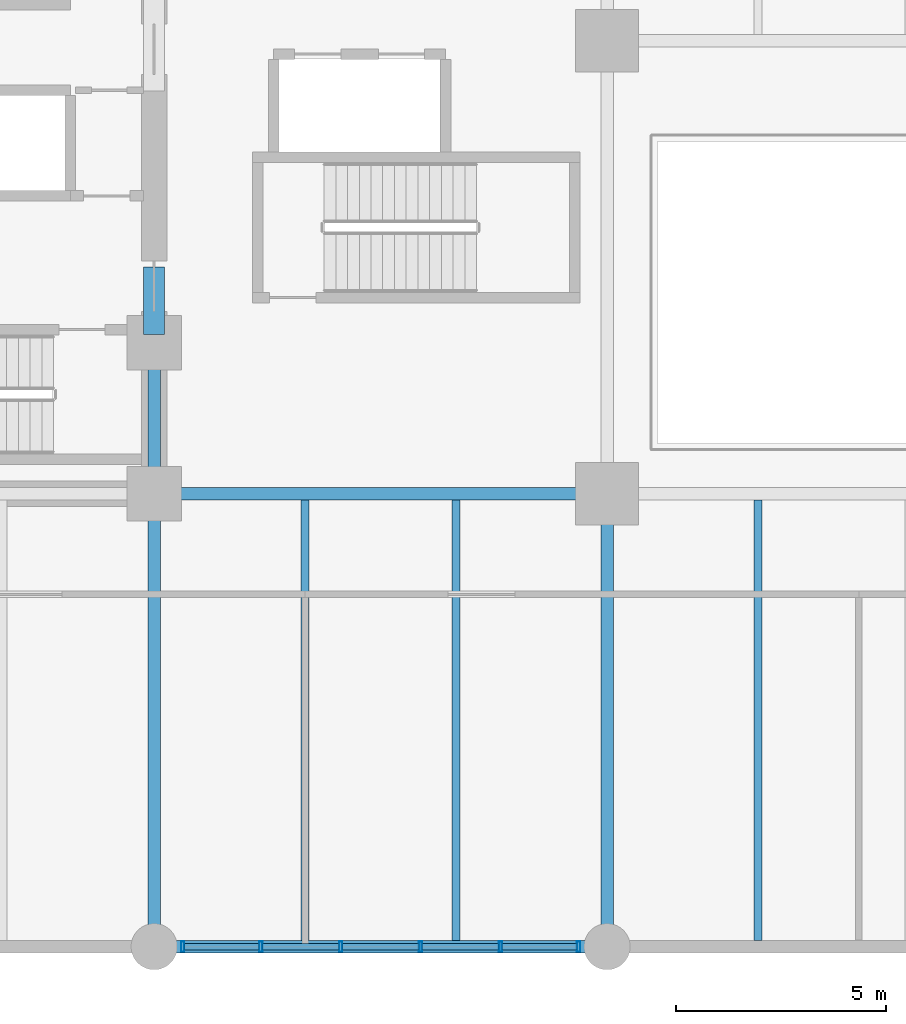
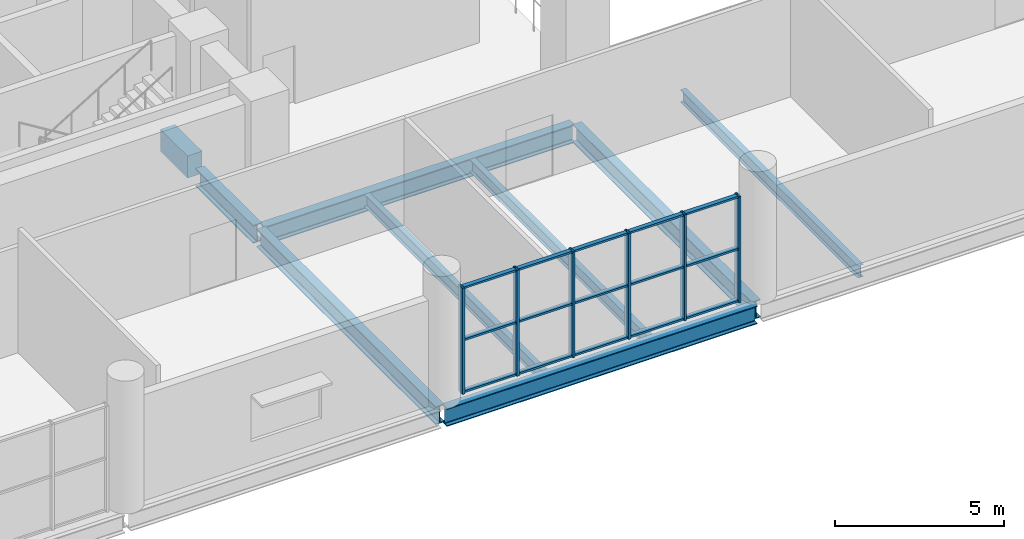
# One storey, part 5 of 16: 21 members, 9 beams, 1 element without a shape of its own.
"""IFC4 building model written with IfcOpenShell, lengths in metres."""

from ifc_helpers import new_model, si_unit, direction, frame, origin, origin_2d, place, context, subcontext, project, spatial, rectangle, hollow_rectangle, i_section, extrude, material, layer, layer_set, material_profile, profile_set, type_object, element, aggregate, save


model = new_model("IFC4")

# Units and contexts
model_context = context("Model", 3, precision=1e-05, world=origin(), true_north=direction((0.0, 1.0)))
body_context = subcontext(model_context, "Body", "Model", "MODEL_VIEW")
ifc_project = project(units=[si_unit("LENGTHUNIT", "METRE"), si_unit("AREAUNIT", "SQUARE_METRE"), si_unit("VOLUMEUNIT", "CUBIC_METRE"), si_unit("PLANEANGLEUNIT", "RADIAN"), si_unit("MASSUNIT", "GRAM", prefix="KILO")], contexts=[model_context])

# Site, building, storey
site_placement = place(None, origin())
site = spatial("IfcSite", under=ifc_project, at=site_placement, CompositionType="ELEMENT")
building_placement = place(site_placement, origin())
building = spatial("IfcBuilding", under=site, at=building_placement, Name="Solnavia Interchange Tower", CompositionType="ELEMENT")
storey_placement = place(building_placement, frame((0.0, 0.0, 5.39990234375)))
storey = spatial("IfcBuildingStorey", under=building, at=storey_placement, Name="L01", CompositionType="ELEMENT", Elevation=5.39990234375)

# Beams
ifc_material_1 = material(Name="Concrete C50/60", Category="concrete")
ifc_material_profile_1 = material_profile(ifc_material_1, rectangle(XDim=0.5, YDim=0.800048828125, at=origin_2d()), Name="RC 500x800")
ifc_profile_set_1 = profile_set([ifc_material_profile_1], Name="Concrete C50/60")
beam_type_1 = type_object("IfcBeamType", Name="Beam-Coupling-RC500x800", PredefinedType="LINTEL", material=ifc_profile_set_1)
beam_1_placement = place(storey_placement, frame((32.39990234375, 14.60009765625, -0.39990234375), z_axis=(0.0, 1.0, 0.0), x_axis=(-1.0, 0.0, 0.0)))
element("IfcBeam", 1, at=beam_1_placement, inside=storey, type_object=beam_type_1, Name="CPB-L01-E1 Core coupling lintel beam", PredefinedType="LINTEL", context=body_context, shape_type="SweptSolid", body=[
    extrude(rectangle(XDim=0.5, YDim=0.800048828125, at=origin_2d()), origin(), (0.0, 0.0, 1.0), 1.599853515625),
])
ifc_material_2 = material(Name="Steel S460", Category="steel")
ifc_material_profile_2 = material_profile(ifc_material_2, i_section(OverallWidth=0.300048828125, OverallDepth=0.64990234375, WebThickness=0.01611328125, FlangeThickness=0.031005859375, FilletRadius=0.027099609375, at=origin_2d()), Name="HEB 650")
ifc_profile_set_2 = profile_set([ifc_material_profile_2], Name="Steel S460")
beam_type_2 = type_object("IfcBeamType", Name="Beam-Girder-HEB650", PredefinedType="BEAM", material=ifc_profile_set_2)
for number, where, z_axis, x_axis, name in (
    (2, (32.5, 0.0, -0.625), (1.0, 0.0, 0.0), (0.0, 1.0, 0.0), "GRD-L01-04 Podium primary girder"),
    (3, (32.5, 10.800048828125, -0.625), (1.0, 0.0, 0.0), (0.0, 1.0, 0.0), "GRD-L01-12 Podium primary girder"),
):
    element("IfcBeam", number, at=place(storey_placement, frame(where, z_axis=z_axis, x_axis=x_axis)), inside=storey, type_object=beam_type_2, Name=name, PredefinedType="BEAM", context=body_context, shape_type="SweptSolid", body=[
        extrude(i_section(OverallWidth=0.300048828125, OverallDepth=0.64990234375, WebThickness=0.01611328125, FlangeThickness=0.031005859375, FilletRadius=0.027099609375, at=origin_2d()), origin(), (0.0, 0.0, 1.0), 10.60009765625),
    ])
beam_2_placement = place(storey_placement, frame((32.39990234375, 0.10009765625, -0.625), z_axis=(0.0, 1.0, 0.0), x_axis=(-1.0, 0.0, 0.0)))
element("IfcBeam", 4, at=beam_2_placement, inside=storey, type_object=beam_type_2, Name="GRD-L01-57 Podium primary girder", PredefinedType="BEAM", context=body_context, shape_type="SweptSolid", body=[
    extrude(i_section(OverallWidth=0.300048828125, OverallDepth=0.64990234375, WebThickness=0.01611328125, FlangeThickness=0.031005859375, FilletRadius=0.027099609375, at=origin_2d()), origin(), (0.0, 0.0, 1.0), 10.599853515625),
])
beam_3_placement = place(storey_placement, frame((32.39990234375, 10.89990234375, -0.625), z_axis=(0.0, 1.0, 0.0), x_axis=(-1.0, 0.0, 0.0)))
element("IfcBeam", 5, at=beam_3_placement, inside=storey, type_object=beam_type_2, Name="GRD-L01-58 Podium primary girder", PredefinedType="BEAM", context=body_context, shape_type="SweptSolid", body=[
    extrude(i_section(OverallWidth=0.300048828125, OverallDepth=0.64990234375, WebThickness=0.01611328125, FlangeThickness=0.031005859375, FilletRadius=0.027099609375, at=origin_2d()), origin(), (0.0, 0.0, 1.0), 3.400146484375),
])
beam_4_placement = place(storey_placement, frame((43.199951171875, 0.10009765625, -0.625), z_axis=(0.0, 1.0, 0.0), x_axis=(-1.0, 0.0, 0.0)))
element("IfcBeam", 6, at=beam_4_placement, inside=storey, type_object=beam_type_2, Name="GRD-L01-62 Podium primary girder", PredefinedType="BEAM", context=body_context, shape_type="SweptSolid", body=[
    extrude(i_section(OverallWidth=0.300048828125, OverallDepth=0.64990234375, WebThickness=0.01611328125, FlangeThickness=0.031005859375, FilletRadius=0.027099609375, at=origin_2d()), origin(), (0.0, 0.0, 1.0), 10.599853515625),
])
ifc_material_3 = material(Name="Steel S355", Category="steel")
ifc_material_profile_3 = material_profile(ifc_material_3, i_section(OverallWidth=0.18994140625, OverallDepth=0.449951171875, WebThickness=0.009521484375, FlangeThickness=0.0146484375, FilletRadius=0.02099609375, at=origin_2d()), Name="IPE 450")
ifc_profile_set_3 = profile_set([ifc_material_profile_3], Name="Steel S355")
beam_type_3 = type_object("IfcBeamType", Name="Beam-Joist-IPE450", PredefinedType="JOIST", material=ifc_profile_set_3)
for number, where, z_axis, x_axis, name in (
    (7, (36.0, 0.14990234375, -0.52490234375), (0.0, 1.0, 0.0), (-1.0, 0.0, 0.0), "JST-L01-21 Podium composite floor joist"),
    (8, (39.60009765625, 0.14990234375, -0.52490234375), (0.0, 1.0, 0.0), (-1.0, 0.0, 0.0), "JST-L01-24 Podium composite floor joist"),
    (9, (46.800048828125, 0.14990234375, -0.52490234375), (0.0, 1.0, 0.0), (-1.0, 0.0, 0.0), "JST-L01-27 Podium composite floor joist"),
):
    element("IfcBeam", number, at=place(storey_placement, frame(where, z_axis=z_axis, x_axis=x_axis)), inside=storey, type_object=beam_type_3, Name=name, PredefinedType="JOIST", context=body_context, shape_type="SweptSolid", body=[
        extrude(i_section(OverallWidth=0.18994140625, OverallDepth=0.449951171875, WebThickness=0.009521484375, FlangeThickness=0.0146484375, FilletRadius=0.02099609375, at=origin_2d()), origin(), (0.0, 0.0, 1.0), 10.5),
    ])

# Curtain wall, members
ifc_material_4 = material(Name="Aluminium Alloy 6063-T6", Category="aluminium")
ifc_layer = layer(ifc_material_4, 0.27001953125)
ifc_layer_set = layer_set([ifc_layer], Name="Aluminium Alloy 6063-T6")
curtain_wall_type = type_object("IfcCurtainWallType", Name="CurtainWall-Podium-CTW1", PredefinedType="NOTDEFINED", material=ifc_layer_set)
curtain_wall_placement = place(storey_placement, origin())
curtain_wall = element("IfcCurtainWall", 10, at=curtain_wall_placement, inside=storey, type_object=curtain_wall_type, Name="CTW-L01-S04 CTW-1 curtain wall", PredefinedType="NOTDEFINED")
ifc_material_profile_4 = material_profile(ifc_material_4, hollow_rectangle(XDim=0.080078125, YDim=0.25, WallThickness=0.006103515625, at=origin_2d()), Name="ALU 250x80x6")
ifc_profile_set_4 = profile_set([ifc_material_profile_4], Name="Aluminium Alloy 6063-T6")
member_type_1 = type_object("IfcMemberType", Name="CW-Mullion-CWM-1", PredefinedType="MULLION", material=ifc_profile_set_4)
member_1_placement = place(storey_placement, frame((42.52001953125, 0.0, 0.0), z_axis=(0.0, 0.0, 1.0), x_axis=(-1.0, 0.0, 0.0)))
member_1 = element("IfcMember", 11, at=member_1_placement, type_object=member_type_1, Name="CTW-1 mullion 1", PredefinedType="MULLION", context=body_context, shape_type="SweptSolid", body=[
    extrude(hollow_rectangle(XDim=0.080078125, YDim=0.25, WallThickness=0.006103515625, at=origin_2d()), origin(), (0.0, 0.0, 1.0), 3.830078125),
])
member_2_placement = place(storey_placement, frame((40.656005859375, 0.0, 0.0), z_axis=(0.0, 0.0, 1.0), x_axis=(-1.0, 0.0, 0.0)))
member_2 = element("IfcMember", 12, at=member_2_placement, type_object=member_type_1, Name="CTW-1 mullion 2", PredefinedType="MULLION", context=body_context, shape_type="SweptSolid", body=[
    extrude(hollow_rectangle(XDim=0.080078125, YDim=0.25, WallThickness=0.006103515625, at=origin_2d()), origin(), (0.0, 0.0, 1.0), 3.830078125),
])
member_3_placement = place(storey_placement, frame((38.751953125, 0.0, 0.0), z_axis=(0.0, 0.0, 1.0), x_axis=(-1.0, 0.0, 0.0)))
member_3 = element("IfcMember", 13, at=member_3_placement, type_object=member_type_1, Name="CTW-1 mullion 3", PredefinedType="MULLION", context=body_context, shape_type="SweptSolid", body=[
    extrude(hollow_rectangle(XDim=0.080078125, YDim=0.25, WallThickness=0.006103515625, at=origin_2d()), origin(), (0.0, 0.0, 1.0), 3.830078125),
])
member_4_placement = place(storey_placement, frame((36.847900390625, 0.0, 0.0), z_axis=(0.0, 0.0, 1.0), x_axis=(-1.0, 0.0, 0.0)))
member_4 = element("IfcMember", 14, at=member_4_placement, type_object=member_type_1, Name="CTW-1 mullion 4", PredefinedType="MULLION", context=body_context, shape_type="SweptSolid", body=[
    extrude(hollow_rectangle(XDim=0.080078125, YDim=0.25, WallThickness=0.006103515625, at=origin_2d()), origin(), (0.0, 0.0, 1.0), 3.830078125),
])
member_5_placement = place(storey_placement, frame((34.944091796875, 0.0, 0.0), z_axis=(0.0, 0.0, 1.0), x_axis=(-1.0, 0.0, 0.0)))
member_5 = element("IfcMember", 15, at=member_5_placement, type_object=member_type_1, Name="CTW-1 mullion 5", PredefinedType="MULLION", context=body_context, shape_type="SweptSolid", body=[
    extrude(hollow_rectangle(XDim=0.080078125, YDim=0.25, WallThickness=0.006103515625, at=origin_2d()), origin(), (0.0, 0.0, 1.0), 3.830078125),
])
member_6_placement = place(storey_placement, frame((33.080078125, 0.0, 0.0), z_axis=(0.0, 0.0, 1.0), x_axis=(-1.0, 0.0, 0.0)))
member_6 = element("IfcMember", 16, at=member_6_placement, type_object=member_type_1, Name="CTW-1 mullion 6", PredefinedType="MULLION", context=body_context, shape_type="SweptSolid", body=[
    extrude(hollow_rectangle(XDim=0.080078125, YDim=0.25, WallThickness=0.006103515625, at=origin_2d()), origin(), (0.0, 0.0, 1.0), 3.830078125),
])
ifc_material_profile_5 = material_profile(ifc_material_4, hollow_rectangle(XDim=0.070068359375, YDim=0.14990234375, WallThickness=0.00439453125, at=origin_2d()), Name="ALU 150x70x4.5")
ifc_profile_set_5 = profile_set([ifc_material_profile_5], Name="Aluminium Alloy 6063-T6")
member_type_2 = type_object("IfcMemberType", Name="CW-Transom-CWT-1", PredefinedType="USERDEFINED", material=ifc_profile_set_5)
member_7_placement = place(storey_placement, frame((42.47998046875, 0.0, 0.03515625), z_axis=(-1.0, 0.0, 0.0), x_axis=(0.0, 0.0, 1.0)))
member_7 = element("IfcMember", 17, at=member_7_placement, type_object=member_type_2, Name="CTW-1 transom 1.1", ObjectType="TRANSOM", PredefinedType="USERDEFINED", context=body_context, shape_type="SweptSolid", body=[
    extrude(hollow_rectangle(XDim=0.070068359375, YDim=0.14990234375, WallThickness=0.00439453125, at=origin_2d()), origin(), (0.0, 0.0, 1.0), 1.783935546875),
])
member_8_placement = place(storey_placement, frame((42.47998046875, 0.0, 1.9150390625), z_axis=(-1.0, 0.0, 0.0), x_axis=(0.0, 0.0, 1.0)))
member_8 = element("IfcMember", 18, at=member_8_placement, type_object=member_type_2, Name="CTW-1 transom 1.2", ObjectType="TRANSOM", PredefinedType="USERDEFINED", context=body_context, shape_type="SweptSolid", body=[
    extrude(hollow_rectangle(XDim=0.070068359375, YDim=0.14990234375, WallThickness=0.00439453125, at=origin_2d()), origin(), (0.0, 0.0, 1.0), 1.783935546875),
])
member_9_placement = place(storey_placement, frame((42.47998046875, 0.0, 3.795166015625), z_axis=(-1.0, 0.0, 0.0), x_axis=(0.0, 0.0, 1.0)))
member_9 = element("IfcMember", 19, at=member_9_placement, type_object=member_type_2, Name="CTW-1 transom 1.3", ObjectType="TRANSOM", PredefinedType="USERDEFINED", context=body_context, shape_type="SweptSolid", body=[
    extrude(hollow_rectangle(XDim=0.070068359375, YDim=0.14990234375, WallThickness=0.00439453125, at=origin_2d()), origin(), (0.0, 0.0, 1.0), 1.783935546875),
])
member_10_placement = place(storey_placement, frame((40.615966796875, 0.0, 0.03515625), z_axis=(-1.0, 0.0, 0.0), x_axis=(0.0, 0.0, 1.0)))
member_10 = element("IfcMember", 20, at=member_10_placement, type_object=member_type_2, Name="CTW-1 transom 2.1", ObjectType="TRANSOM", PredefinedType="USERDEFINED", context=body_context, shape_type="SweptSolid", body=[
    extrude(hollow_rectangle(XDim=0.070068359375, YDim=0.14990234375, WallThickness=0.00439453125, at=origin_2d()), origin(), (0.0, 0.0, 1.0), 1.823974609375),
])
member_11_placement = place(storey_placement, frame((40.615966796875, 0.0, 1.9150390625), z_axis=(-1.0, 0.0, 0.0), x_axis=(0.0, 0.0, 1.0)))
member_11 = element("IfcMember", 21, at=member_11_placement, type_object=member_type_2, Name="CTW-1 transom 2.2", ObjectType="TRANSOM", PredefinedType="USERDEFINED", context=body_context, shape_type="SweptSolid", body=[
    extrude(hollow_rectangle(XDim=0.070068359375, YDim=0.14990234375, WallThickness=0.00439453125, at=origin_2d()), origin(), (0.0, 0.0, 1.0), 1.823974609375),
])
member_12_placement = place(storey_placement, frame((40.615966796875, 0.0, 3.795166015625), z_axis=(-1.0, 0.0, 0.0), x_axis=(0.0, 0.0, 1.0)))
member_12 = element("IfcMember", 22, at=member_12_placement, type_object=member_type_2, Name="CTW-1 transom 2.3", ObjectType="TRANSOM", PredefinedType="USERDEFINED", context=body_context, shape_type="SweptSolid", body=[
    extrude(hollow_rectangle(XDim=0.070068359375, YDim=0.14990234375, WallThickness=0.00439453125, at=origin_2d()), origin(), (0.0, 0.0, 1.0), 1.823974609375),
])
member_13_placement = place(storey_placement, frame((38.7119140625, 0.0, 0.03515625), z_axis=(-1.0, 0.0, 0.0), x_axis=(0.0, 0.0, 1.0)))
member_13 = element("IfcMember", 23, at=member_13_placement, type_object=member_type_2, Name="CTW-1 transom 3.1", ObjectType="TRANSOM", PredefinedType="USERDEFINED", context=body_context, shape_type="SweptSolid", body=[
    extrude(hollow_rectangle(XDim=0.070068359375, YDim=0.14990234375, WallThickness=0.00439453125, at=origin_2d()), origin(), (0.0, 0.0, 1.0), 1.823974609375),
])
member_14_placement = place(storey_placement, frame((38.7119140625, 0.0, 1.9150390625), z_axis=(-1.0, 0.0, 0.0), x_axis=(0.0, 0.0, 1.0)))
member_14 = element("IfcMember", 24, at=member_14_placement, type_object=member_type_2, Name="CTW-1 transom 3.2", ObjectType="TRANSOM", PredefinedType="USERDEFINED", context=body_context, shape_type="SweptSolid", body=[
    extrude(hollow_rectangle(XDim=0.070068359375, YDim=0.14990234375, WallThickness=0.00439453125, at=origin_2d()), origin(), (0.0, 0.0, 1.0), 1.823974609375),
])
member_15_placement = place(storey_placement, frame((38.7119140625, 0.0, 3.795166015625), z_axis=(-1.0, 0.0, 0.0), x_axis=(0.0, 0.0, 1.0)))
member_15 = element("IfcMember", 25, at=member_15_placement, type_object=member_type_2, Name="CTW-1 transom 3.3", ObjectType="TRANSOM", PredefinedType="USERDEFINED", context=body_context, shape_type="SweptSolid", body=[
    extrude(hollow_rectangle(XDim=0.070068359375, YDim=0.14990234375, WallThickness=0.00439453125, at=origin_2d()), origin(), (0.0, 0.0, 1.0), 1.823974609375),
])
member_16_placement = place(storey_placement, frame((36.80810546875, 0.0, 0.03515625), z_axis=(-1.0, 0.0, 0.0), x_axis=(0.0, 0.0, 1.0)))
member_16 = element("IfcMember", 26, at=member_16_placement, type_object=member_type_2, Name="CTW-1 transom 4.1", ObjectType="TRANSOM", PredefinedType="USERDEFINED", context=body_context, shape_type="SweptSolid", body=[
    extrude(hollow_rectangle(XDim=0.070068359375, YDim=0.14990234375, WallThickness=0.00439453125, at=origin_2d()), origin(), (0.0, 0.0, 1.0), 1.82421875),
])
member_17_placement = place(storey_placement, frame((36.80810546875, 0.0, 1.9150390625), z_axis=(-1.0, 0.0, 0.0), x_axis=(0.0, 0.0, 1.0)))
member_17 = element("IfcMember", 27, at=member_17_placement, type_object=member_type_2, Name="CTW-1 transom 4.2", ObjectType="TRANSOM", PredefinedType="USERDEFINED", context=body_context, shape_type="SweptSolid", body=[
    extrude(hollow_rectangle(XDim=0.070068359375, YDim=0.14990234375, WallThickness=0.00439453125, at=origin_2d()), origin(), (0.0, 0.0, 1.0), 1.82421875),
])
member_18_placement = place(storey_placement, frame((36.80810546875, 0.0, 3.795166015625), z_axis=(-1.0, 0.0, 0.0), x_axis=(0.0, 0.0, 1.0)))
member_18 = element("IfcMember", 28, at=member_18_placement, type_object=member_type_2, Name="CTW-1 transom 4.3", ObjectType="TRANSOM", PredefinedType="USERDEFINED", context=body_context, shape_type="SweptSolid", body=[
    extrude(hollow_rectangle(XDim=0.070068359375, YDim=0.14990234375, WallThickness=0.00439453125, at=origin_2d()), origin(), (0.0, 0.0, 1.0), 1.82421875),
])
member_19_placement = place(storey_placement, frame((34.904052734375, 0.0, 0.03515625), z_axis=(-1.0, 0.0, 0.0), x_axis=(0.0, 0.0, 1.0)))
member_19 = element("IfcMember", 29, at=member_19_placement, type_object=member_type_2, Name="CTW-1 transom 5.1", ObjectType="TRANSOM", PredefinedType="USERDEFINED", context=body_context, shape_type="SweptSolid", body=[
    extrude(hollow_rectangle(XDim=0.070068359375, YDim=0.14990234375, WallThickness=0.00439453125, at=origin_2d()), origin(), (0.0, 0.0, 1.0), 1.783935546875),
])
member_20_placement = place(storey_placement, frame((34.904052734375, 0.0, 1.9150390625), z_axis=(-1.0, 0.0, 0.0), x_axis=(0.0, 0.0, 1.0)))
member_20 = element("IfcMember", 30, at=member_20_placement, type_object=member_type_2, Name="CTW-1 transom 5.2", ObjectType="TRANSOM", PredefinedType="USERDEFINED", context=body_context, shape_type="SweptSolid", body=[
    extrude(hollow_rectangle(XDim=0.070068359375, YDim=0.14990234375, WallThickness=0.00439453125, at=origin_2d()), origin(), (0.0, 0.0, 1.0), 1.783935546875),
])
member_21_placement = place(storey_placement, frame((34.904052734375, 0.0, 3.795166015625), z_axis=(-1.0, 0.0, 0.0), x_axis=(0.0, 0.0, 1.0)))
member_21 = element("IfcMember", 31, at=member_21_placement, type_object=member_type_2, Name="CTW-1 transom 5.3", ObjectType="TRANSOM", PredefinedType="USERDEFINED", context=body_context, shape_type="SweptSolid", body=[
    extrude(hollow_rectangle(XDim=0.070068359375, YDim=0.14990234375, WallThickness=0.00439453125, at=origin_2d()), origin(), (0.0, 0.0, 1.0), 1.783935546875),
])
aggregate(curtain_wall, [member_1, member_2, member_3, member_4, member_5, member_6, member_7, member_8, member_9, member_10, member_11, member_12, member_13, member_14, member_15, member_16, member_17, member_18, member_19, member_20, member_21])

save(model, "model.ifc")
